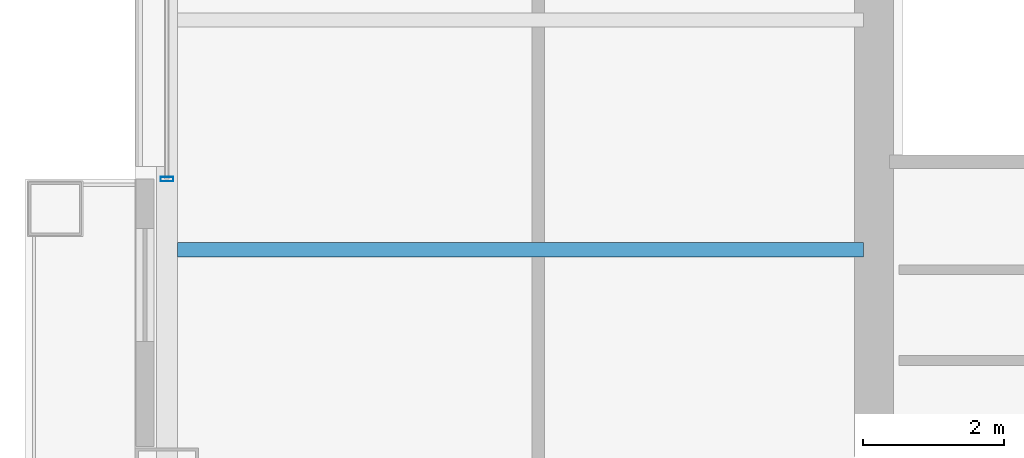
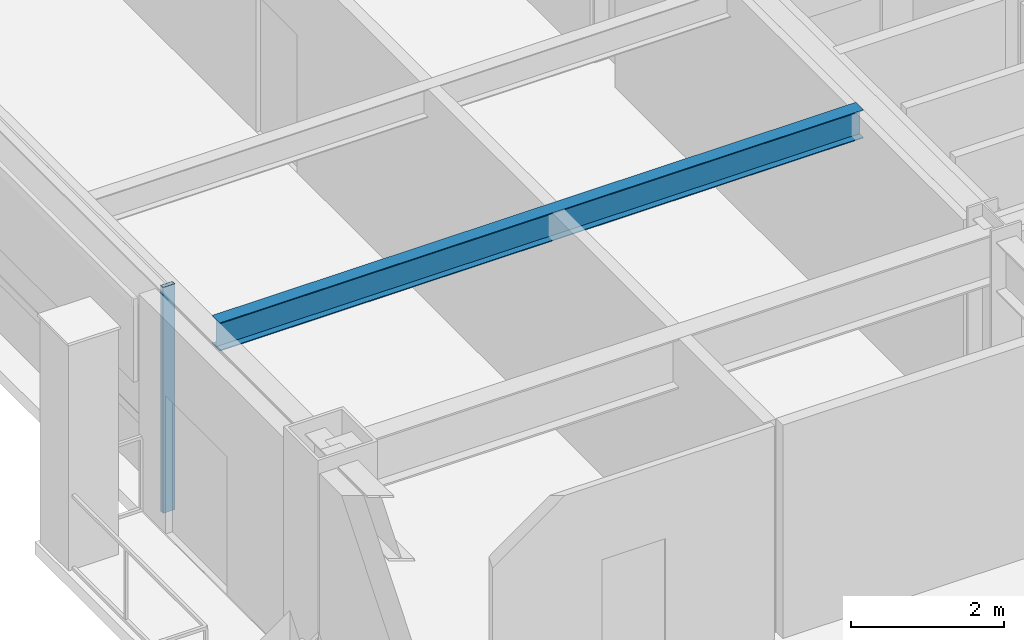
# One storey, part 6 of 28: 1 beam, 1 member, 1 element without a shape of its own.
"""IFC4 building model written with IfcOpenShell, lengths in metres."""

from ifc_helpers import new_model, si_unit, direction, frame, origin, origin_2d, place, context, subcontext, project, spatial, hollow_rectangle, i_section, extrude, material, layer, layer_set, material_profile, profile_set, type_object, element, aggregate, save


model = new_model("IFC4")

# Units and contexts
model_context = context("Model", 3, precision=1e-05, world=origin(), true_north=direction((0.0, 1.0)))
body_context = subcontext(model_context, "Body", "Model", "MODEL_VIEW")
ifc_project = project(units=[si_unit("LENGTHUNIT", "METRE"), si_unit("AREAUNIT", "SQUARE_METRE"), si_unit("VOLUMEUNIT", "CUBIC_METRE"), si_unit("PLANEANGLEUNIT", "RADIAN"), si_unit("MASSUNIT", "GRAM", prefix="KILO")], contexts=[model_context])

# Site, building, storey
site_placement = place(None, origin())
site = spatial("IfcSite", under=ifc_project, at=site_placement, CompositionType="ELEMENT")
building_placement = place(site_placement, origin())
building = spatial("IfcBuilding", under=site, at=building_placement, Name="Brelmoor Portico Tower", CompositionType="ELEMENT")
storey_placement = place(building_placement, frame((0.0, 0.0, 70.800048828125)))
storey = spatial("IfcBuildingStorey", under=building, at=storey_placement, Name="L18", CompositionType="ELEMENT", Elevation=70.800048828125)

# Beam
ifc_material_1 = material(Name="Steel Q355B", Category="steel")
ifc_material_profile_1 = material_profile(ifc_material_1, i_section(OverallWidth=0.199951171875, OverallDepth=0.449951171875, WebThickness=0.009033203125, FlangeThickness=0.013916015625, at=origin_2d()), Name="HN 450x200x9x14")
ifc_profile_set_1 = profile_set([ifc_material_profile_1], Name="Steel Q355B")
beam_type = type_object("IfcBeamType", Name="BM-JS-450", PredefinedType="JOIST", material=ifc_profile_set_1)
beam_placement = place(storey_placement, frame((-24.39990234375, -6.5, 3.175048828125), z_axis=(1.0, 0.0, 0.0), x_axis=(0.0, 1.0, 0.0)))
element("IfcBeam", 1, at=beam_placement, inside=storey, type_object=beam_type, Name="L18 Secondary Wing Joist JS-W05", PredefinedType="JOIST", context=body_context, shape_type="SweptSolid", body=[
    extrude(i_section(OverallWidth=0.199951171875, OverallDepth=0.449951171875, WebThickness=0.009033203125, FlangeThickness=0.013916015625, at=origin_2d()), origin(), (0.0, 0.0, 1.0), 9.699951171875),
])

# Curtain wall, member
ifc_material_2 = material(Name="Anodised Aluminium Alloy 6063-T6", Category="aluminium")
ifc_layer = layer(ifc_material_2, 0.179931640625)
ifc_layer_set = layer_set([ifc_layer], Name="Anodised Aluminium Alloy 6063-T6")
curtain_wall_type = type_object("IfcCurtainWallType", Name="CW-TOWER-Z1", PredefinedType="NOTDEFINED", material=ifc_layer_set)
curtain_wall_placement = place(storey_placement, origin())
curtain_wall = element("IfcCurtainWall", 2, at=curtain_wall_placement, inside=storey, type_object=curtain_wall_type, Name="L18 Curtain Wall CW-L18-3R-1", PredefinedType="NOTDEFINED")
ifc_material_profile_2 = material_profile(ifc_material_2, hollow_rectangle(XDim=0.06494140625, YDim=0.179931640625, WallThickness=0.00390625, at=origin_2d()), Name="ALU MULLION 65x180")
ifc_profile_set_2 = profile_set([ifc_material_profile_2], Name="Anodised Aluminium Alloy 6063-T6")
member_type = type_object("IfcMemberType", Name="MB-CW-MULL-180", PredefinedType="MULLION", material=ifc_profile_set_2)
member_placement = place(storey_placement, frame((-24.550048828125, -5.5, -0.199951171875), z_axis=(0.0, 0.0, 1.0), x_axis=(0.0, 1.0, 0.0)))
member = element("IfcMember", 3, at=member_placement, type_object=member_type, Name="CW-L18-3R-1 Mullion 00", PredefinedType="MULLION", context=body_context, shape_type="SweptSolid", body=[
    extrude(hollow_rectangle(XDim=0.06494140625, YDim=0.179931640625, WallThickness=0.00390625, at=origin_2d()), origin(), (0.0, 0.0, 1.0), 3.599853515625),
])
aggregate(curtain_wall, [member])

save(model, "model.ifc")
